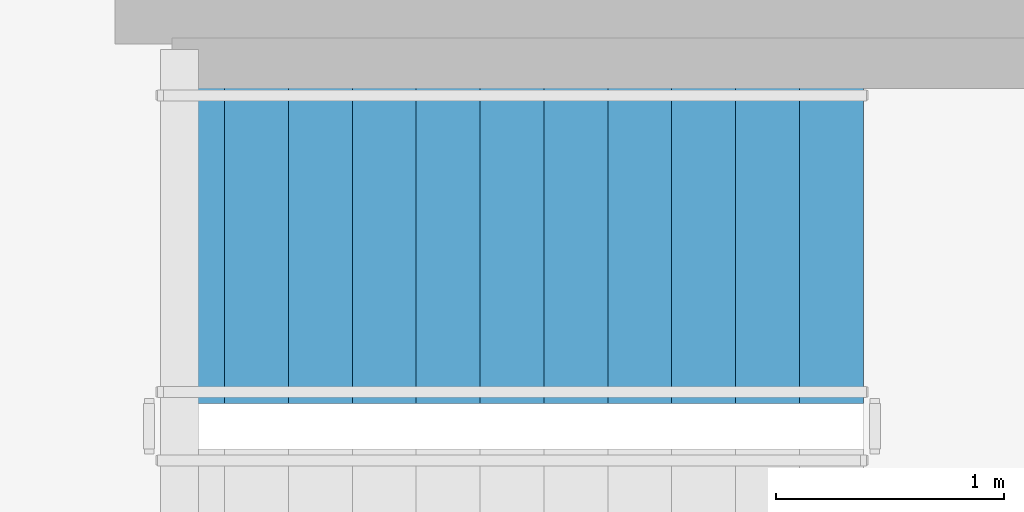
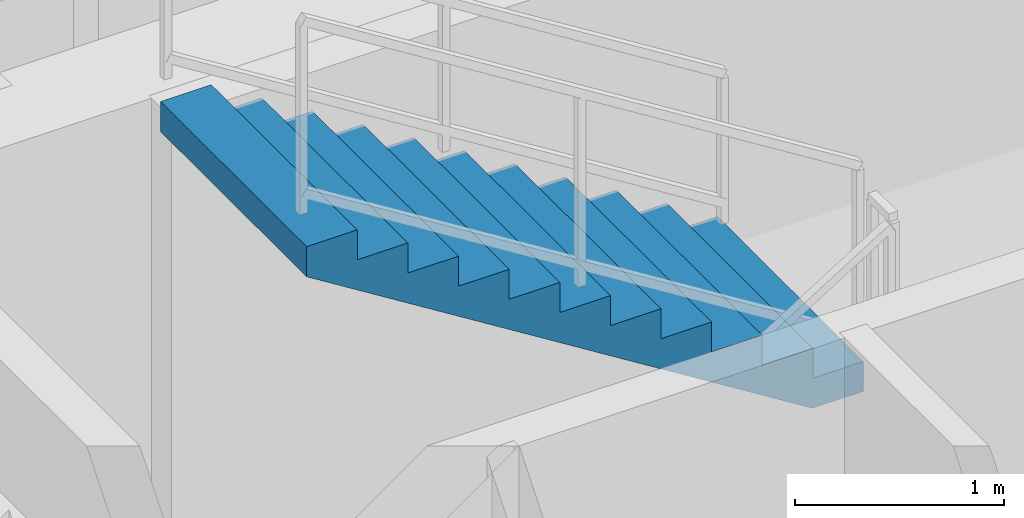
# One storey, part 17 of 19: 1 stair flight, 1 element without a shape of its own.
"""IFC4 building model written with IfcOpenShell, lengths in metres."""

from ifc_helpers import new_model, si_unit, direction, frame, origin, place, context, subcontext, project, spatial, polyline, outline, extrude, material, type_object, element, aggregate, save


model = new_model("IFC4")

# Units and contexts
model_context = context("Model", 3, precision=1e-05, world=origin(), true_north=direction((0.0, 1.0)))
body_context = subcontext(model_context, "Body", "Model", "MODEL_VIEW")
ifc_project = project(units=[si_unit("LENGTHUNIT", "METRE"), si_unit("AREAUNIT", "SQUARE_METRE"), si_unit("VOLUMEUNIT", "CUBIC_METRE"), si_unit("PLANEANGLEUNIT", "RADIAN"), si_unit("MASSUNIT", "GRAM", prefix="KILO")], contexts=[model_context])

# Site, building, storey
site_placement = place(None, origin())
site = spatial("IfcSite", under=ifc_project, at=site_placement, CompositionType="ELEMENT")
building_placement = place(site_placement, origin())
building = spatial("IfcBuilding", under=site, at=building_placement, Name="Qarnah Convention Tower", CompositionType="ELEMENT")
storey_placement = place(building_placement, frame((0.0, 0.0, 275.10009765625)))
storey = spatial("IfcBuildingStorey", under=building, at=storey_placement, Name="L74", CompositionType="ELEMENT", Elevation=275.10009765625)

# Stair, stair flight
ifc_material = material(Name="Concrete C50/60", Category="concrete")
stair_type = type_object("IfcStairType", Name="STR-SUM", PredefinedType="HALF_TURN_STAIR", material=ifc_material)
stair_placement = place(storey_placement, origin())
stair = element("IfcStair", 1, at=stair_placement, inside=storey, type_object=stair_type, Name="L74 Core exit stair ST-3", PredefinedType="HALF_TURN_STAIR")
stair_flight_type = type_object("IfcStairFlightType", Name="FLT-SUM", PredefinedType="STRAIGHT", material=ifc_material)
stair_flight_placement = place(storey_placement, frame((40.580078125, 33.050048828125, 2.099853515625), z_axis=(0.0, 0.0, 1.0), x_axis=(-1.0, 0.0, 0.0)))
stair_flight = element("IfcStairFlight", 2, at=stair_flight_placement, type_object=stair_flight_type, Name="ST-3 flight 2", NumberOfRisers=12, NumberOfTreads=11, PredefinedType="STRAIGHT", RiserHeight=0.175, TreadLength=0.28, context=body_context, shape_type="SweptSolid", body=[
    extrude(outline(polyline([(0.0, 0.0), (0.0, 0.175048828125), (0.280029296875, 0.175048828125), (0.280029296875, 0.35009765625), (0.56005859375, 0.35009765625), (0.56005859375, 0.52490234375), (0.840087890625, 0.52490234375), (0.840087890625, 0.699951171875), (1.1201171875, 0.699951171875), (1.1201171875, 0.875), (1.39990234375, 0.875), (1.39990234375, 1.050048828125), (1.679931640625, 1.050048828125), (1.679931640625, 1.22509765625), (1.9599609375, 1.22509765625), (1.9599609375, 1.39990234375), (2.239990234375, 1.39990234375), (2.239990234375, 1.574951171875), (2.52001953125, 1.574951171875), (2.52001953125, 1.75), (2.800048828125, 1.75), (2.800048828125, 1.925048828125), (3.080078125, 1.925048828125), (3.080078125, 2.10009765625), (3.080078125, 1.748291015625), (0.28271484375, 0.0), (0.0, 0.0)])), frame((0.0, 0.699951171875, 0.0), z_axis=(0.0, -1.0, 0.0), x_axis=(1.0, 0.0, 0.0)), (0.0, 0.0, 1.0), 1.39990234375),
])
aggregate(stair, [stair_flight])

save(model, "model.ifc")
